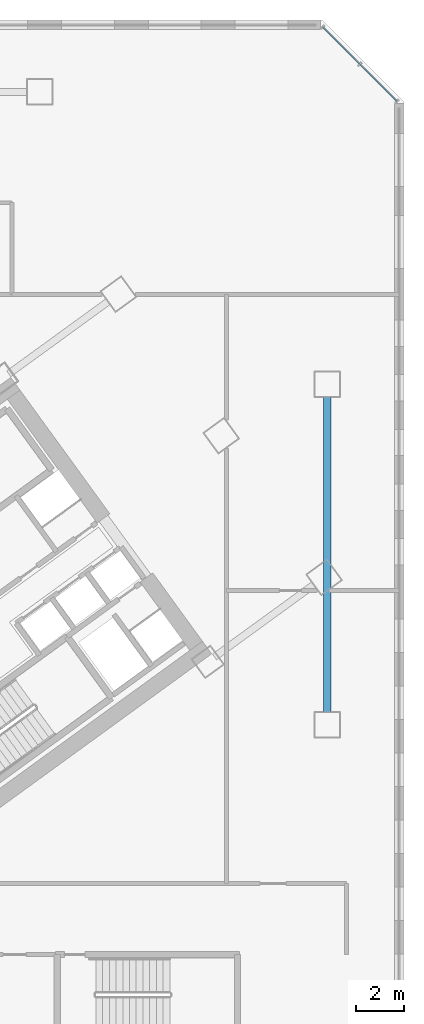
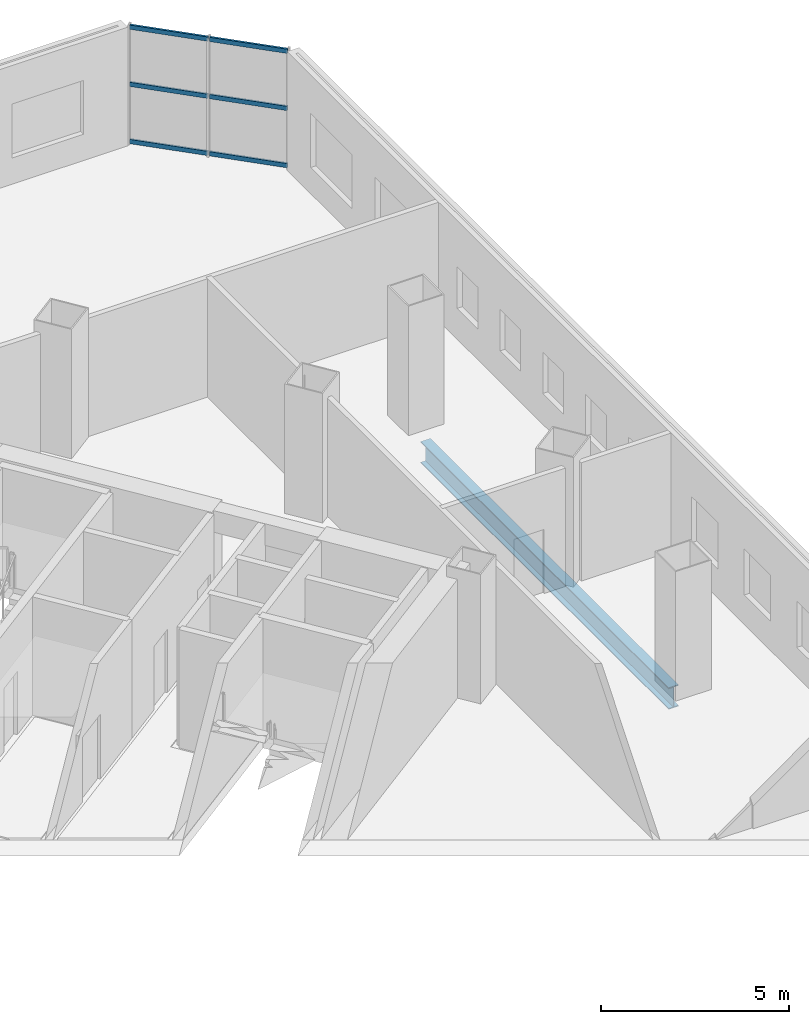
# One storey, part 7 of 22: 6 members, 1 beam, 1 element without a shape of its own.
"""IFC4 building model written with IfcOpenShell, lengths in metres."""

from ifc_helpers import new_model, si_unit, direction, frame, origin, origin_2d, place, context, subcontext, project, spatial, hollow_rectangle, i_section, extrude, source, transform, mapped, material, material_profile, profile_set, type_object, element, aggregate, save


model = new_model("IFC4")

# Units and contexts
model_context = context("Model", 3, precision=1e-05, world=origin(), true_north=direction((0.0, 1.0)))
body_context = subcontext(model_context, "Body", "Model", "MODEL_VIEW")
ifc_project = project(units=[si_unit("LENGTHUNIT", "METRE"), si_unit("AREAUNIT", "SQUARE_METRE"), si_unit("VOLUMEUNIT", "CUBIC_METRE"), si_unit("PLANEANGLEUNIT", "RADIAN"), si_unit("MASSUNIT", "GRAM", prefix="KILO")], contexts=[model_context])

# Site, building, storey
site_placement = place(None, origin())
site = spatial("IfcSite", under=ifc_project, at=site_placement, CompositionType="ELEMENT")
building_placement = place(site_placement, origin())
building = spatial("IfcBuilding", under=site, at=building_placement, Name="Tlacorven Tower", CompositionType="ELEMENT")
storey_placement = place(building_placement, frame((0.0, 0.0, 10.199951171875)))
storey = spatial("IfcBuildingStorey", under=building, at=storey_placement, Name="L02", CompositionType="ELEMENT", Elevation=10.199951171875)

# Beam
ifc_material_1 = material(Name="Steel S355J2", Category="steel")
ifc_material_profile_1 = material_profile(ifc_material_1, i_section(OverallWidth=0.300048828125, OverallDepth=0.699951171875, WebThickness=0.01708984375, FlangeThickness=0.031982421875, at=origin_2d()), Name="HEB 700")
ifc_profile_set_1 = profile_set([ifc_material_profile_1], Name="Steel S355J2")
beam_type = type_object("IfcBeamType", Name="BM-POD-700", PredefinedType="BEAM", material=ifc_profile_set_1)
shared_shape_1 = source(origin(), body_context, "Body", "SweptSolid", [
    extrude(i_section(OverallWidth=0.300048828125, OverallDepth=0.699951171875, WebThickness=0.01708984375, FlangeThickness=0.031982421875, at=origin_2d()), origin(), (0.0, 0.0, 1.0), 13.179931640625),
])
beam_placement = place(storey_placement, frame((67.39990234375, 17.7099609375, -0.699951171875), z_axis=(0.0, 1.0, 0.0), x_axis=(-1.0, 0.0, 0.0)))
element("IfcBeam", 1, at=beam_placement, inside=storey, type_object=beam_type, Name="L02 beam BM-L02-GY6-1", PredefinedType="BEAM", context=body_context, shape_type="MappedRepresentation", body=[
    mapped(shared_shape_1, transform((0.0, 0.0, 0.0), scale=1.0)),
])

# Curtain wall, members
ifc_material_2 = material(Name="Dark solar low-E double glazing in aluminium frame", Category="aluminium")
curtain_wall_type = type_object("IfcCurtainWallType", Name="CW-POD-CLINIC", PredefinedType="USERDEFINED", material=ifc_material_2)
curtain_wall_placement = place(storey_placement, origin())
curtain_wall = element("IfcCurtainWall", 2, at=curtain_wall_placement, inside=storey, type_object=curtain_wall_type, Name="L02 Podium Chamfer Curtain Wall 5", ObjectType="UNITISED CURTAIN WALL", PredefinedType="USERDEFINED")
ifc_material_3 = material(Name="Aluminium 6063-T6 anodised", Category="aluminium")
ifc_material_profile_2 = material_profile(ifc_material_3, hollow_rectangle(XDim=0.06005859375, YDim=0.139892578125, WallThickness=0.00390625, at=origin_2d()), Name="ALU TRANSOM 60X140")
ifc_profile_set_2 = profile_set([ifc_material_profile_2], Name="Aluminium 6063-T6 anodised")
member_type = type_object("IfcMemberType", Name="CWT-02", PredefinedType="USERDEFINED", material=ifc_profile_set_2)
shared_shape_2 = source(origin(), body_context, "Body", "SweptSolid", [
    extrude(hollow_rectangle(XDim=0.06005859375, YDim=0.139892578125, WallThickness=0.00390625, at=origin_2d()), origin(), (0.0, 0.0, 1.0), 2.14794921875),
])
member_1_placement = place(storey_placement, frame((67.225341796875, 46.291748046875, 0.070068359375), z_axis=(0.707106781187, -0.707106781187, 0.0), x_axis=(0.707106781187, 0.707106781187, 0.0)))
member_1 = element("IfcMember", 3, at=member_1_placement, type_object=member_type, Name="CW-L02-011 Transom 1", ObjectType="TRANSOM", PredefinedType="USERDEFINED", context=body_context, shape_type="MappedRepresentation", body=[
    mapped(shared_shape_2, transform((0.0, 0.0, 0.0), scale=1.0)),
])
member_2_placement = place(storey_placement, frame((67.225341796875, 46.291748046875, 1.925048828125), z_axis=(0.707106781187, -0.707106781187, 0.0), x_axis=(0.707106781187, 0.707106781187, 0.0)))
member_2 = element("IfcMember", 4, at=member_2_placement, type_object=member_type, Name="CW-L02-011 Transom 2", ObjectType="TRANSOM", PredefinedType="USERDEFINED", context=body_context, shape_type="MappedRepresentation", body=[
    mapped(shared_shape_2, transform((0.0, 0.0, 0.0), scale=1.0)),
])
member_3_placement = place(storey_placement, frame((67.225341796875, 46.291748046875, 3.780029296875), z_axis=(0.707106781187, -0.707106781187, 0.0), x_axis=(0.707106781187, 0.707106781187, 0.0)))
member_3 = element("IfcMember", 5, at=member_3_placement, type_object=member_type, Name="CW-L02-011 Transom 3", ObjectType="TRANSOM", PredefinedType="USERDEFINED", context=body_context, shape_type="MappedRepresentation", body=[
    mapped(shared_shape_2, transform((0.0, 0.0, 0.0), scale=1.0)),
])
member_4_placement = place(storey_placement, frame((68.77294921875, 44.744140625, 0.070068359375), z_axis=(0.707106781187, -0.707106781187, 0.0), x_axis=(0.707106781187, 0.707106781187, 0.0)))
member_4 = element("IfcMember", 6, at=member_4_placement, type_object=member_type, Name="CW-L02-011 Transom 4", ObjectType="TRANSOM", PredefinedType="USERDEFINED", context=body_context, shape_type="MappedRepresentation", body=[
    mapped(shared_shape_2, transform((0.0, 0.0, 0.0), scale=1.0)),
])
member_5_placement = place(storey_placement, frame((68.77294921875, 44.744140625, 1.925048828125), z_axis=(0.707106781187, -0.707106781187, 0.0), x_axis=(0.707106781187, 0.707106781187, 0.0)))
member_5 = element("IfcMember", 7, at=member_5_placement, type_object=member_type, Name="CW-L02-011 Transom 5", ObjectType="TRANSOM", PredefinedType="USERDEFINED", context=body_context, shape_type="MappedRepresentation", body=[
    mapped(shared_shape_2, transform((0.0, 0.0, 0.0), scale=1.0)),
])
member_6_placement = place(storey_placement, frame((68.77294921875, 44.744140625, 3.780029296875), z_axis=(0.707106781187, -0.707106781187, 0.0), x_axis=(0.707106781187, 0.707106781187, 0.0)))
member_6 = element("IfcMember", 8, at=member_6_placement, type_object=member_type, Name="CW-L02-011 Transom 6", ObjectType="TRANSOM", PredefinedType="USERDEFINED", context=body_context, shape_type="MappedRepresentation", body=[
    mapped(shared_shape_2, transform((0.0, 0.0, 0.0), scale=1.0)),
])
aggregate(curtain_wall, [member_1, member_2, member_3, member_4, member_5, member_6])

save(model, "model.ifc")
